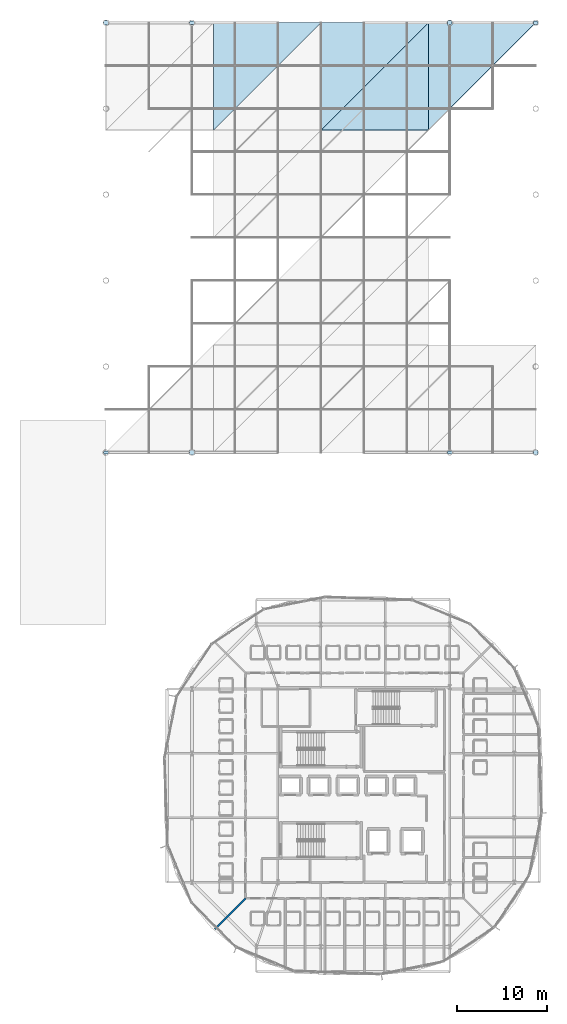
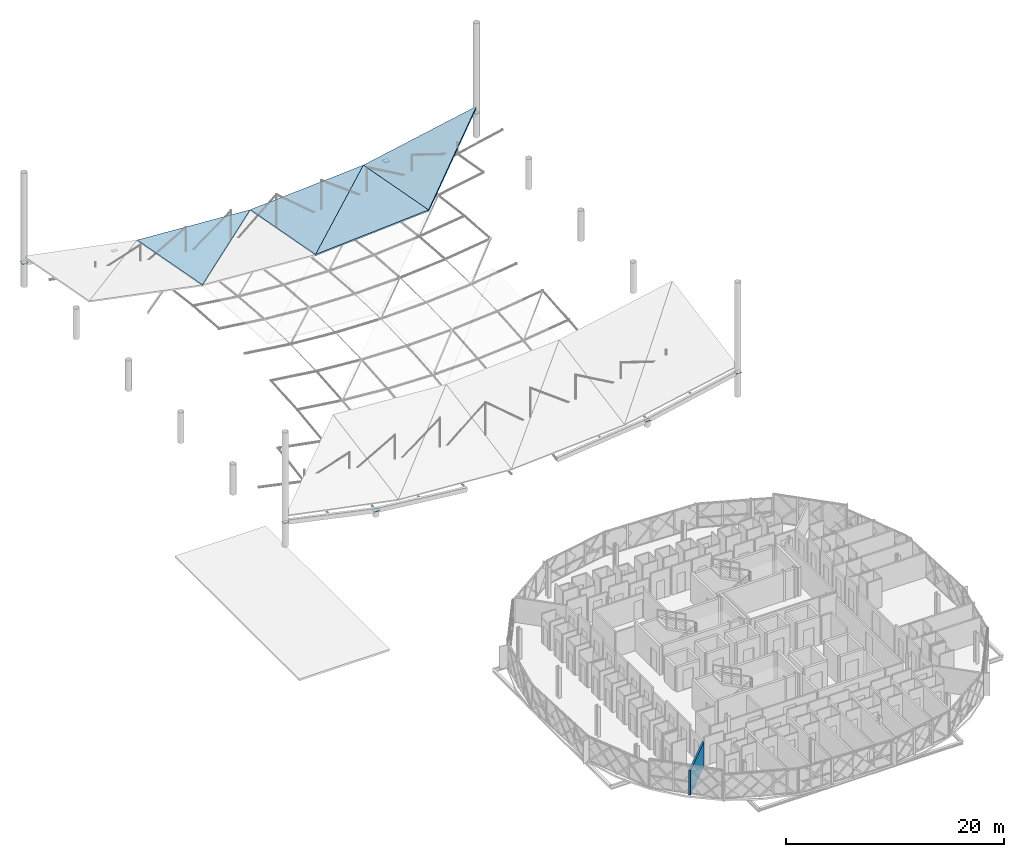
# One storey, part 27 of 40: 8 plates, 4 slabs, 1 wall.
"""IFC4 building model written with IfcOpenShell, lengths in metres."""

import ifcopenshell
import ifcopenshell.guid

model = None  # the IFC model being written
_history = None  # IfcOwnerHistory: only IFC2X3 demands one
_inside = {}  # id of a spatial element -> (the spatial element, [elements in it])
_under = {}  # id of a project, library or spatial element -> (it, [spatial elements below it])
_declared = {}  # id of a project -> (the project, [libraries it declares])
_typed = {}  # id of a type object -> (the type object, [elements of that type])
_made_of = {}  # id of a material, layer set ... -> (it, [elements and type objects made of it])


def new_model(schema):
    """Start an empty IFC model of exactly this schema.

    Asked for "IFC4X3", IfcOpenShell would pick the latest addendum, in which some entities
    have other attributes; the version numbers below select the first issue.
    IFC2X3 requires an IfcOwnerHistory on every rooted entity: one is made here for all.
    """
    global model, _history
    if schema == "IFC4X3":
        model = ifcopenshell.file(schema_version=(4, 3, 0, 0))
    else:
        model = ifcopenshell.file(schema=schema)
    _inside.clear()
    _under.clear()
    _declared.clear()
    _typed.clear()
    _made_of.clear()
    _history = None
    if model.schema == "IFC2X3":
        org = make("IfcOrganization", Name="unknown")
        user = make(
            "IfcPersonAndOrganization",
            ThePerson=make("IfcPerson", FamilyName="unknown"),
            TheOrganization=org,
        )
        app = make(
            "IfcApplication",
            ApplicationDeveloper=org,
            Version="unknown",
            ApplicationFullName="unknown",
            ApplicationIdentifier="unknown",
        )
        _history = make(
            "IfcOwnerHistory",
            OwningUser=user,
            OwningApplication=app,
            ChangeAction="ADDED",
            CreationDate=0,
        )
    return model


def make(cls, **values):
    """One entity of the class cls with the attributes given. An attribute that is None is left unset."""
    return model.create_entity(
        cls, **{name: value for name, value in values.items() if value is not None}
    )


def rooted(cls, **values):
    """An entity with a GlobalId (a new one), such as an element, a storey or a relation."""
    return make(cls, GlobalId=ifcopenshell.guid.new(), OwnerHistory=_history, **values)


def si_unit(unit_type, name, prefix=None):
    """IfcSIUnit, for example si_unit("LENGTHUNIT", "METRE", prefix="MILLI")."""
    return make("IfcSIUnit", UnitType=unit_type, Prefix=prefix, Name=name)


def assignment(units):
    """IfcUnitAssignment: the units of a project."""
    return None if units is None else make("IfcUnitAssignment", Units=units)


def point(xyz):
    """IfcCartesianPoint."""
    return None if xyz is None else make("IfcCartesianPoint", Coordinates=xyz)


def direction(xyz):
    """IfcDirection."""
    return None if xyz is None else make("IfcDirection", DirectionRatios=xyz)


def frame(location, z_axis=None, x_axis=None):
    """IfcAxis2Placement3D, a coordinate frame: its origin and axes. An axis left out is left unset."""
    return make(
        "IfcAxis2Placement3D",
        Location=point(location),
        Axis=direction(z_axis),
        RefDirection=direction(x_axis),
    )


def frame_2d(location, x_axis=None):
    """IfcAxis2Placement2D, a coordinate frame in the plane: its origin and x axis."""
    return make(
        "IfcAxis2Placement2D", Location=point(location), RefDirection=direction(x_axis)
    )


def origin():
    """The frame at (0, 0, 0) with its axes left unset."""
    return frame((0.0, 0.0, 0.0))


def origin_2d():
    """The frame at (0, 0) in the plane with its x axis left unset."""
    return frame_2d((0.0, 0.0))


def place(relative_to, where):
    """IfcLocalPlacement: puts the frame where relative to a parent placement (None: the world)."""
    return make(
        "IfcLocalPlacement", PlacementRelTo=relative_to, RelativePlacement=where
    )


def context(
    kind, dimensions, precision=None, world=None, true_north=None, identifier=None
):
    """IfcGeometricRepresentationContext, for example the 3D "Model" context."""
    return make(
        "IfcGeometricRepresentationContext",
        ContextIdentifier=identifier,
        ContextType=kind,
        CoordinateSpaceDimension=dimensions,
        Precision=precision,
        WorldCoordinateSystem=world,
        TrueNorth=true_north,
    )


def subcontext(parent, identifier, kind, view, scale=None):
    """IfcGeometricRepresentationSubContext, for example "Body" below "Model"."""
    return make(
        "IfcGeometricRepresentationSubContext",
        ContextIdentifier=identifier,
        ContextType=kind,
        ParentContext=parent,
        TargetScale=scale,
        TargetView=view,
    )


def project(units=None, contexts=None):
    """IfcProject with its units and contexts."""
    return rooted(
        "IfcProject",
        Name="project",
        RepresentationContexts=contexts,
        UnitsInContext=assignment(units),
    )


def spatial(cls, under=None, at=None, **own):
    """A site, building, storey or space (cls), placed at a placement, below another one or the project."""
    s = rooted(cls, ObjectPlacement=at, **own)
    if under is not None:
        _under.setdefault(under.id(), (under, []))[1].append(s)
    return s


def polyline(points):
    """IfcPolyline through the points."""
    return make("IfcPolyline", Points=[point(p) for p in points])


def profile(cls, at=None, kind="AREA", **sizes):
    """A parametric profile (cls). Its sizes go by their IFC names, for example OverallWidth=200.0."""
    return make(cls, ProfileType=kind, Position=at, **sizes)


def rectangle(**sizes):
    """IfcRectangleProfileDef."""
    return profile("IfcRectangleProfileDef", **sizes)


def outline(outer, holes=None, kind="AREA"):
    """IfcArbitraryClosedProfileDef: a profile drawn as a closed curve; with holes, ...WithVoids."""
    if holes is None:
        return make("IfcArbitraryClosedProfileDef", ProfileType=kind, OuterCurve=outer)
    return make(
        "IfcArbitraryProfileDefWithVoids",
        ProfileType=kind,
        OuterCurve=outer,
        InnerCurves=holes,
    )


def extrude(swept, where, along, depth):
    """IfcExtrudedAreaSolid: the profile swept, set in the frame where, extruded along a direction by depth."""
    return make(
        "IfcExtrudedAreaSolid",
        SweptArea=swept,
        Position=where,
        ExtrudedDirection=direction(along),
        Depth=depth,
    )


def shape(context_of_items, identifier, shape_type, items):
    """IfcShapeRepresentation: the items that make up one representation, for example the "Body"."""
    return make(
        "IfcShapeRepresentation",
        ContextOfItems=context_of_items,
        RepresentationIdentifier=identifier,
        RepresentationType=shape_type,
        Items=items,
    )


def material(Name=None, Category=None):
    """IfcMaterial."""
    return make("IfcMaterial", Name=Name, Category=Category)


def layer(
    of_material, thickness, ventilated=None, Name=None, Category=None, Priority=None
):
    """IfcMaterialLayer: one layer of a wall or slab, of a material (None: an air gap)."""
    return make(
        "IfcMaterialLayer",
        Material=of_material,
        LayerThickness=thickness,
        IsVentilated=ventilated,
        Name=Name,
        Category=Category,
        Priority=Priority,
    )


def layer_set(layers, Name=None):
    """IfcMaterialLayerSet."""
    return make("IfcMaterialLayerSet", MaterialLayers=layers, LayerSetName=Name)


def made_of(thing, what):
    """Note that an element or type object is made of a material, layer set ...; save() writes the relation."""
    if what is not None:
        _made_of.setdefault(what.id(), (what, []))[1].append(thing)
    return thing


def type_object(cls, material=None, **own):
    """A type object (cls), such as IfcWallType, which elements share."""
    return made_of(rooted(cls, **own), material)


def element(
    cls,
    number,
    at=None,
    inside=None,
    cuts=None,
    type_object=None,
    material=None,
    context=None,
    identifier="Body",
    shape_type=None,
    held_by="IfcProductDefinitionShape",
    body=None,
    shapes=None,
    **own,
):
    """One element of the class cls, such as IfcWall. Its Tag is "e" and its number.

    at: its placement. inside: the storey or other place that contains it. cuts: it is an
    opening in that element (IfcRelVoidsElement). A single representation is given by context,
    identifier, shape_type and body (its items); several are given by shapes. held_by: the class
    of the entity that holds the representations. save() writes the other relations.
    """
    e = rooted(cls, Tag="e%d" % number, ObjectPlacement=at, **own)
    if body is not None:
        shapes = [shape(context, identifier, shape_type, body)]
    if shapes is not None:
        e.Representation = make(held_by, Representations=shapes)
    if inside is not None:
        _inside.setdefault(inside.id(), (inside, []))[1].append(e)
    if cuts is not None:
        rooted(
            "IfcRelVoidsElement", RelatingBuildingElement=cuts, RelatedOpeningElement=e
        )
    if type_object is not None:
        _typed.setdefault(type_object.id(), (type_object, []))[1].append(e)
    return made_of(e, material)


def aggregate(whole, parts):
    """IfcRelAggregates: a whole, such as a stair, and the parts it consists of."""
    return rooted("IfcRelAggregates", RelatingObject=whole, RelatedObjects=parts)


def save(model, path):
    """Write the relations noted so far, then the file.

    IfcRelAggregates (storeys below a building ...), IfcRelContainedInSpatialStructure (elements
    in a storey), IfcRelDefinesByType, IfcRelAssociatesMaterial and IfcRelDeclares: one each for
    every whole, place, type object, material and project.
    """
    for whole, parts in _under.values():
        aggregate(whole, parts)
    for where, things in _inside.values():
        rooted(
            "IfcRelContainedInSpatialStructure",
            RelatedElements=things,
            RelatingStructure=where,
        )
    for kind, things in _typed.values():
        rooted("IfcRelDefinesByType", RelatedObjects=things, RelatingType=kind)
    for what, things in _made_of.values():
        rooted("IfcRelAssociatesMaterial", RelatedObjects=things, RelatingMaterial=what)
    for by, libraries in _declared.values():
        rooted("IfcRelDeclares", RelatingContext=by, RelatedDefinitions=libraries)
    model.write(path)


model = new_model("IFC4")

# Units and contexts
model_context = context("Model", 3, precision=1e-05, world=origin(), true_north=direction((0.0, 1.0)))
body_context = subcontext(model_context, "Body", "Model", "MODEL_VIEW")
ifc_project = project(units=[si_unit("LENGTHUNIT", "METRE"), si_unit("AREAUNIT", "SQUARE_METRE"), si_unit("VOLUMEUNIT", "CUBIC_METRE"), si_unit("PLANEANGLEUNIT", "RADIAN"), si_unit("MASSUNIT", "GRAM", prefix="KILO")], contexts=[model_context])

# Site, building, storey
site_placement = place(None, origin())
site = spatial("IfcSite", under=ifc_project, at=site_placement, CompositionType="ELEMENT")
building_placement = place(site_placement, origin())
building = spatial("IfcBuilding", under=site, at=building_placement, Name="Zevrakil Square Congress Hotel", CompositionType="ELEMENT")
storey_placement = place(building_placement, frame((0.0, 0.0, 18.10009765625)))
storey = spatial("IfcBuildingStorey", under=building, at=storey_placement, Name="L05", CompositionType="ELEMENT", Elevation=18.10009765625)

# Plates
ifc_material_1 = material(Name="Steel S355", Category="steel")
ifc_layer_1 = layer(ifc_material_1, 0.02490234375)
ifc_layer_set_1 = layer_set([ifc_layer_1], Name="Steel S355")
plate_type_1 = type_object("IfcPlateType", Name="PLT-CAP-540", PredefinedType="SHEET", material=ifc_layer_set_1)
for number, where, z_axis, x_axis, name in (
    (1, (127.199951171875, 64.800048828125, 0.58935546875), (0.0, 0.0, 1.0), (1.0, 0.0, 0.0), "Compression ring splice cap plate RP-02"),
    (2, (165.60009765625, 64.800048828125, 2.637451171875), (0.0, 0.0, 1.0), (1.0, 0.0, 0.0), "Compression ring splice cap plate RP-06"),
    (3, (156.0, 112.800048828125, 0.58935546875), (0.0, 0.0, 1.0), (1.0, 0.0, 0.0), "Compression ring splice cap plate RP-12"),
    (4, (117.60009765625, 112.800048828125, 2.637451171875), (0.0, 0.0, 1.0), (1.0, 0.0, 0.0), "Compression ring splice cap plate RP-16"),
):
    element("IfcPlate", number, at=place(storey_placement, frame(where, z_axis=z_axis, x_axis=x_axis)), inside=storey, type_object=plate_type_1, Name=name, PredefinedType="SHEET", context=body_context, shape_type="SweptSolid", body=[
        extrude(rectangle(XDim=0.5400390625, YDim=0.5400390625, at=origin_2d()), origin(), (0.0, 0.0, 1.0), 0.02490234375),
    ])
ifc_material_2 = material(Name="Steel S355", Category="steel")
ifc_layer_2 = layer(ifc_material_2, 0.02490234375)
ifc_layer_set_2 = layer_set([ifc_layer_2], Name="Steel S355")
plate_type_2 = type_object("IfcPlateType", Name="PLT-RING-550", PredefinedType="SHEET", material=ifc_layer_set_2)
for number, where, z_axis, x_axis, name in (
    (5, (117.60009765625, 64.800048828125, 2.637451171875), (0.0, 0.0, 1.0), (1.0, 0.0, 0.0), "Compression ring splice cap plate RP-01"),
    (6, (156.0, 64.800048828125, 0.58935546875), (0.0, 0.0, 1.0), (1.0, 0.0, 0.0), "Compression ring splice cap plate RP-05"),
    (7, (165.60009765625, 112.800048828125, 2.637451171875), (0.0, 0.0, 1.0), (1.0, 0.0, 0.0), "Compression ring splice cap plate RP-11"),
    (8, (127.199951171875, 112.800048828125, 0.58935546875), (0.0, 0.0, 1.0), (1.0, 0.0, 0.0), "Compression ring splice cap plate RP-15"),
):
    element("IfcPlate", number, at=place(storey_placement, frame(where, z_axis=z_axis, x_axis=x_axis)), inside=storey, type_object=plate_type_2, Name=name, PredefinedType="SHEET", context=body_context, shape_type="SweptSolid", body=[
        extrude(rectangle(XDim=0.550048828125, YDim=0.35009765625, at=origin_2d()), origin(), (0.0, 0.0, 1.0), 0.02490234375),
    ])

# Slabs
ifc_material_3 = material(Name="Concrete C35/45", Category="concrete")
ifc_layer_3 = layer(ifc_material_3, 0.139892578125)
ifc_layer_set_3 = layer_set([ifc_layer_3], Name="Concrete C35/45")
slab_type = type_object("IfcSlabType", Name="SLB-SADDLE-140", PredefinedType="ROOF", material=ifc_layer_set_3)
slab_1_placement = place(storey_placement, frame((129.60009765625, 100.800048828125, 3.18994140625), z_axis=(0.065388572079, 0.183894134965, 0.980768719815), x_axis=(0.695955943214, 0.695955943214, -0.176891634086)))
element("IfcSlab", 9, at=slab_1_placement, inside=storey, type_object=slab_type, Name="Congress hall anticlastic saddle roof facet 16", PredefinedType="ROOF", context=body_context, shape_type="SweptSolid", body=[
    extrude(outline(polyline([(0.0, 0.0), (17.24247075839036, -2.7755575615628914e-16), (8.749477495263838, 8.515230094358676), (0.0, 0.0)])), origin(), (0.0, 0.0, -1.0), 0.139892578125),
])
slab_2_placement = place(storey_placement, frame((141.60009765625, 100.800048828125, 2.389892578125), z_axis=(-0.065388572079, 0.183894134965, 0.980768719815), x_axis=(0.99778488838, 0.0, 0.066523052556)))
element("IfcSlab", 10, at=slab_2_placement, inside=storey, type_object=slab_type, Name="Congress hall anticlastic saddle roof facet 23", PredefinedType="ROOF", context=body_context, shape_type="SweptSolid", body=[
    extrude(outline(polyline([(0.0, 0.0), (12.026640350795569, 0.0), (11.876963482545147, 12.208197935613214), (0.0, 0.0)])), origin(), (0.0, 0.0, -1.0), 0.139892578125),
])
slab_3_placement = place(storey_placement, frame((141.60009765625, 100.800048828125, 2.389892578125), z_axis=(-0.065388572079, 0.183894134965, 0.980768719815), x_axis=(0.704539937178, 0.704539937178, -0.085129042295)))
element("IfcSlab", 11, at=slab_3_placement, inside=storey, type_object=slab_type, Name="Congress hall anticlastic saddle roof facet 24", PredefinedType="ROOF", context=body_context, shape_type="SweptSolid", body=[
    extrude(outline(polyline([(0.0, 0.0), (17.032391446911433, -7.771561172376096e-16), (8.646019591301876, 8.62025783992707), (0.0, 0.0)])), origin(), (0.0, 0.0, -1.0), 0.139892578125),
])
slab_4_placement = place(storey_placement, frame((153.60009765625, 100.800048828125, 3.18994140625), z_axis=(-0.192875555251, 0.180828190965, 0.964417018483), x_axis=(0.707079197396, 0.707079197396, 0.008832735742)))
element("IfcSlab", 12, at=slab_4_placement, inside=storey, type_object=slab_type, Name="Congress hall anticlastic saddle roof facet 32", PredefinedType="ROOF", context=body_context, shape_type="SweptSolid", body=[
    extrude(outline(polyline([(0.0, 0.0), (16.9712247852847, 9.71445146547012e-17), (8.465076713327646, 8.798009788439543), (0.0, 0.0)])), origin(), (0.0, 0.0, -1.0), 0.139892578125),
])

# Wall
ifc_material_4 = material(Name="Gypsum Twin-Stud Party Partition")
ifc_layer_4 = layer(ifc_material_4, 0.179931640625)
ifc_layer_set_4 = layer_set([ifc_layer_4], Name="Gypsum Twin-Stud Party Partition")
wall_type = type_object("IfcWallType", Name="WAL-PARTY-180", PredefinedType="PARTITIONING", material=ifc_layer_set_4)
wall_placement = place(storey_placement, frame((133.199951171875, 15.0, 0.0), z_axis=(0.0, 0.0, 1.0), x_axis=(-0.707106781187, -0.707106781187, 0.0)))
element("IfcWall", 13, at=wall_placement, inside=storey, type_object=wall_type, Name="L05 interior partition PW-L05-0482", PredefinedType="PARTITIONING", context=body_context, shape_type="SweptSolid", body=[
    extrude(rectangle(XDim=4.838623046875, YDim=0.179931640625, at=frame_2d((2.41943359375, 0.0))), origin(), (0.0, 0.0, 1.0), 2.7548828125),
])

save(model, "model.ifc")
